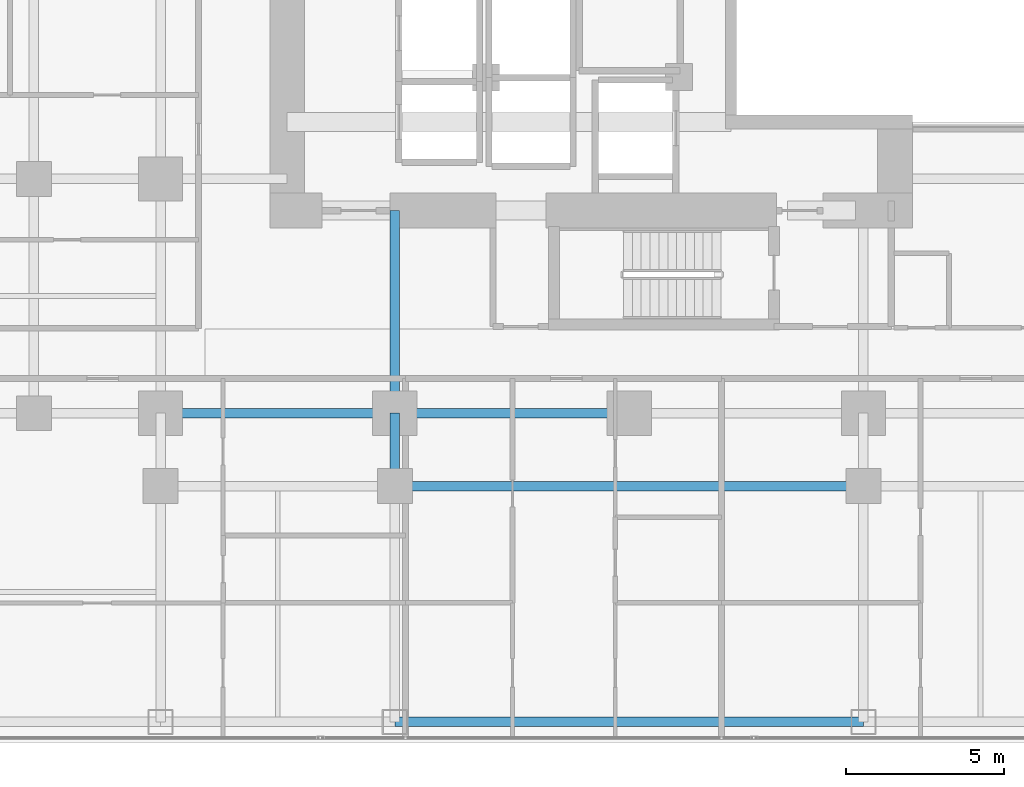
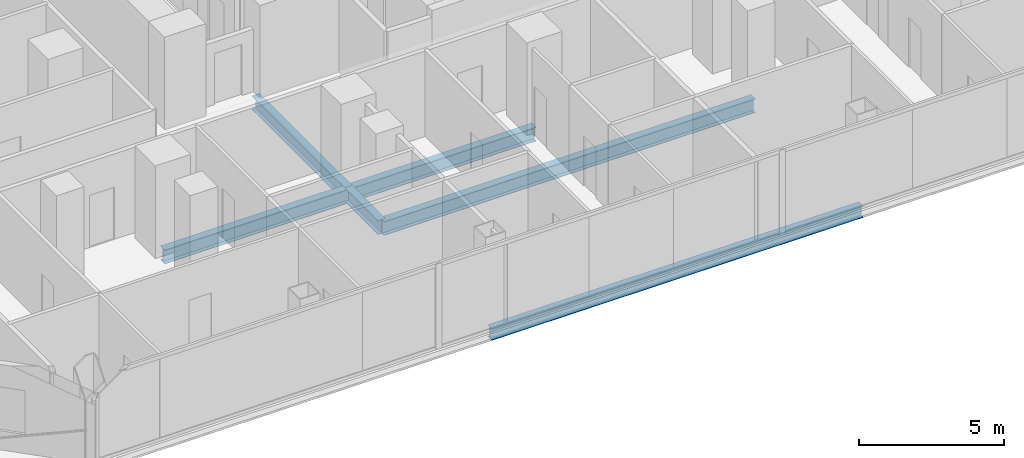
# One storey, part 5 of 29: 6 beams.
"""IFC4 building model written with IfcOpenShell, lengths in metres."""

from ifc_helpers import new_model, si_unit, direction, frame, origin, origin_2d, place, context, subcontext, project, spatial, i_section, extrude, material, material_profile, profile_set, type_object, element, save


model = new_model("IFC4")

# Units and contexts
model_context = context("Model", 3, precision=1e-05, world=origin(), true_north=direction((0.0, 1.0)))
body_context = subcontext(model_context, "Body", "Model", "MODEL_VIEW")
ifc_project = project(units=[si_unit("LENGTHUNIT", "METRE"), si_unit("AREAUNIT", "SQUARE_METRE"), si_unit("VOLUMEUNIT", "CUBIC_METRE"), si_unit("PLANEANGLEUNIT", "RADIAN"), si_unit("MASSUNIT", "GRAM", prefix="KILO")], contexts=[model_context])

# Site, building, storey
site_placement = place(None, origin())
site = spatial("IfcSite", under=ifc_project, at=site_placement, CompositionType="ELEMENT")
building_placement = place(site_placement, origin())
building = spatial("IfcBuilding", under=site, at=building_placement, Name="Khorvyn Point Tower", CompositionType="ELEMENT")
storey_placement = place(building_placement, frame((0.0, 0.0, 73.5)))
storey = spatial("IfcBuildingStorey", under=building, at=storey_placement, Name="L19", CompositionType="ELEMENT", Elevation=73.5)

# Beams
ifc_material = material(Name="Steel S355", Category="steel")
ifc_material_profile_1 = material_profile(ifc_material, i_section(OverallWidth=0.300048828125, OverallDepth=0.587890625, WebThickness=0.011962890625, FlangeThickness=0.02001953125, at=origin_2d()))
ifc_profile_set_1 = profile_set([ifc_material_profile_1], Name="Steel S355 H588x300x12x20")
beam_type_1 = type_object("IfcBeamType", Name="Steel S355 Beam H588x300x12x20", PredefinedType="BEAM", material=ifc_profile_set_1)
beam_1_placement = place(storey_placement, frame((-14.800048828125, -14.800048828125, -0.513916015625), z_axis=(1.0, 0.0, 0.0), x_axis=(0.0, 1.0, 0.0)))
element("IfcBeam", 1, at=beam_1_placement, inside=storey, type_object=beam_type_1, Name="Beam", PredefinedType="BEAM", context=body_context, shape_type="SweptSolid", body=[
    extrude(i_section(OverallWidth=0.300048828125, OverallDepth=0.587890625, WebThickness=0.011962890625, FlangeThickness=0.02001953125, at=origin_2d()), origin(), (0.0, 0.0, 1.0), 7.400146484375),
])
beam_2_placement = place(storey_placement, frame((-7.39990234375, -14.800048828125, -0.513916015625), z_axis=(1.0, 0.0, 0.0), x_axis=(0.0, 1.0, 0.0)))
element("IfcBeam", 2, at=beam_2_placement, inside=storey, type_object=beam_type_1, Name="Beam", PredefinedType="BEAM", context=body_context, shape_type="SweptSolid", body=[
    extrude(i_section(OverallWidth=0.300048828125, OverallDepth=0.587890625, WebThickness=0.011962890625, FlangeThickness=0.02001953125, at=origin_2d()), origin(), (0.0, 0.0, 1.0), 7.39990234375),
])
beam_3_placement = place(storey_placement, frame((-7.39990234375, -17.10009765625, -0.513916015625), z_axis=(1.0, 0.0, 0.0), x_axis=(0.0, 1.0, 0.0)))
element("IfcBeam", 3, at=beam_3_placement, inside=storey, type_object=beam_type_1, Name="Beam", PredefinedType="BEAM", context=body_context, shape_type="SweptSolid", body=[
    extrude(i_section(OverallWidth=0.300048828125, OverallDepth=0.587890625, WebThickness=0.011962890625, FlangeThickness=0.02001953125, at=origin_2d()), origin(), (0.0, 0.0, 1.0), 14.7998046875),
])
beam_4_placement = place(storey_placement, frame((-7.39990234375, -17.10009765625, -0.513916015625), z_axis=(0.0, 1.0, 0.0), x_axis=(-1.0, 0.0, 0.0)))
element("IfcBeam", 4, at=beam_4_placement, inside=storey, type_object=beam_type_1, Name="Beam", PredefinedType="BEAM", context=body_context, shape_type="SweptSolid", body=[
    extrude(i_section(OverallWidth=0.300048828125, OverallDepth=0.587890625, WebThickness=0.011962890625, FlangeThickness=0.02001953125, at=origin_2d()), origin(), (0.0, 0.0, 1.0), 2.300048828125),
])
beam_5_placement = place(storey_placement, frame((-7.39990234375, -14.800048828125, -0.513916015625), z_axis=(0.0, 1.0, 0.0), x_axis=(-1.0, 0.0, 0.0)))
element("IfcBeam", 5, at=beam_5_placement, inside=storey, type_object=beam_type_1, Name="Beam", PredefinedType="BEAM", context=body_context, shape_type="SweptSolid", body=[
    extrude(i_section(OverallWidth=0.300048828125, OverallDepth=0.587890625, WebThickness=0.011962890625, FlangeThickness=0.02001953125, at=origin_2d()), origin(), (0.0, 0.0, 1.0), 6.400146484375),
])
ifc_material_profile_2 = material_profile(ifc_material, i_section(OverallWidth=0.300048828125, OverallDepth=0.488037109375, WebThickness=0.010986328125, FlangeThickness=0.01806640625, at=origin_2d()))
ifc_profile_set_2 = profile_set([ifc_material_profile_2], Name="Steel S355 H488x300x11x18")
beam_type_2 = type_object("IfcBeamType", Name="Steel S355 Spandrel H488x300x11x18", PredefinedType="SPANDREL", material=ifc_profile_set_2)
beam_6_placement = place(storey_placement, frame((-7.39990234375, -24.550048828125, -0.464111328125), z_axis=(1.0, 0.0, 0.0), x_axis=(0.0, 1.0, 0.0)))
element("IfcBeam", 6, at=beam_6_placement, inside=storey, type_object=beam_type_2, Name="Beam", PredefinedType="SPANDREL", context=body_context, shape_type="SweptSolid", body=[
    extrude(i_section(OverallWidth=0.300048828125, OverallDepth=0.488037109375, WebThickness=0.010986328125, FlangeThickness=0.01806640625, at=origin_2d()), origin(), (0.0, 0.0, 1.0), 14.7998046875),
])

save(model, "model.ifc")
